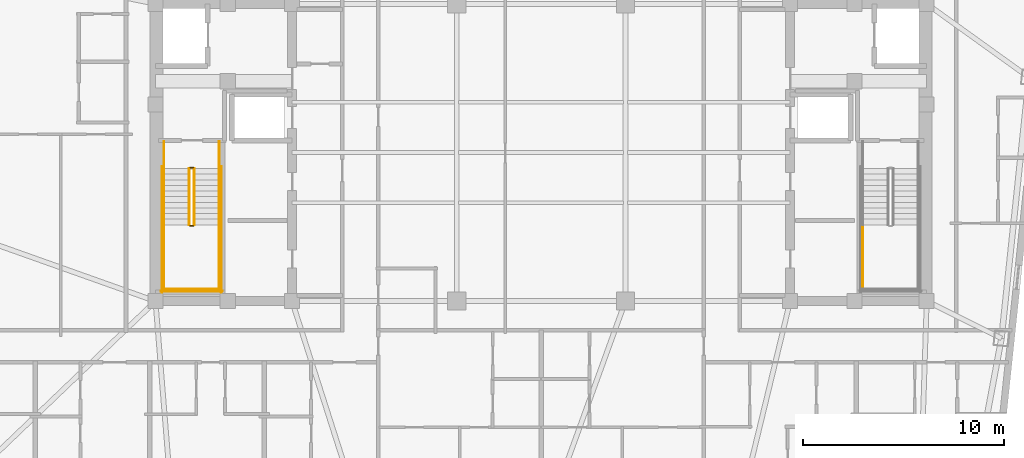
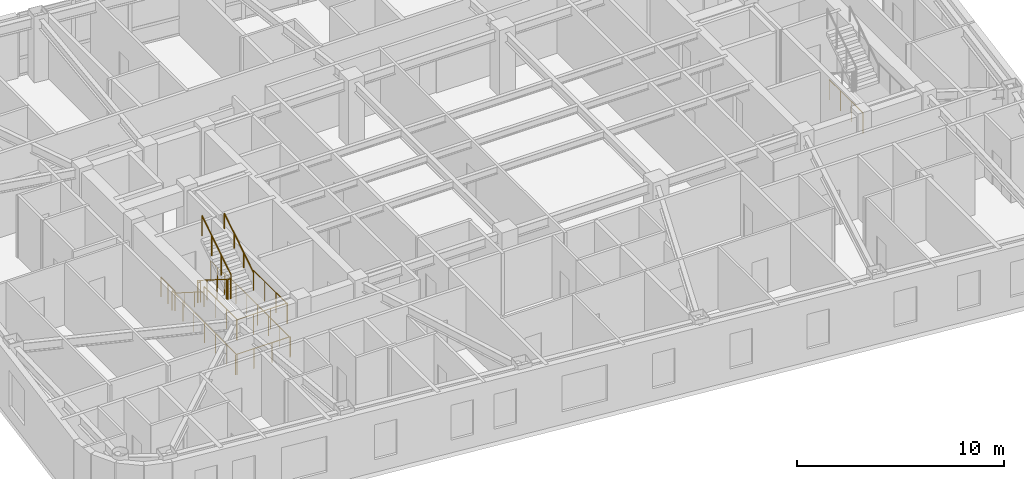
# One storey, part 14 of 15: 15 railings.
"""IFC4 building model written with IfcOpenShell, lengths in metres."""

from ifc_helpers import new_model, si_unit, direction, frame, origin, origin_2d, place, context, subcontext, project, spatial, circle, extrude, material, type_object, element, save


model = new_model("IFC4")

# Units and contexts
model_context = context("Model", 3, precision=1e-05, world=origin(), true_north=direction((0.0, 1.0)))
body_context = subcontext(model_context, "Body", "Model", "MODEL_VIEW")
ifc_project = project(units=[si_unit("LENGTHUNIT", "METRE"), si_unit("AREAUNIT", "SQUARE_METRE"), si_unit("VOLUMEUNIT", "CUBIC_METRE"), si_unit("PLANEANGLEUNIT", "RADIAN"), si_unit("MASSUNIT", "GRAM", prefix="KILO")], contexts=[model_context])

# Site, building, storey
site_placement = place(None, origin())
site = spatial("IfcSite", under=ifc_project, at=site_placement, CompositionType="ELEMENT")
building_placement = place(site_placement, origin())
building = spatial("IfcBuilding", under=site, at=building_placement, Name="Voryun Gate Residences", CompositionType="ELEMENT")
storey_placement = place(building_placement, frame((0.0, 0.0, 263.89990234375)))
storey = spatial("IfcBuildingStorey", under=building, at=storey_placement, Name="L65", CompositionType="ELEMENT", Elevation=263.89990234375)

# Railings
ifc_material_1 = material(Name="Painted steel", Category="steel")
railing_type_1 = type_object("IfcRailingType", Name="RAIL_STAIR_GUARD_1200", PredefinedType="GUARDRAIL", material=ifc_material_1)
railing_1_placement = place(storey_placement, frame((-17.52490234375, -0.800048828125, 0.177490234375)))
element("IfcRailing", 1, at=railing_1_placement, inside=storey, type_object=railing_type_1, Name="L65 ST-W1 stair guard 1", PredefinedType="GUARDRAIL", context=body_context, shape_type="SweptSolid", body=[
    extrude(circle(Radius=0.02392578125, at=origin_2d()), frame((0.0, 0.0, 1.17578125), z_axis=(0.0, -0.844908973607, 0.534910110503), x_axis=(1.0, 0.0, 0.0)), (0.0, 0.0, 1.0), 3.31396484375),
    extrude(circle(Radius=0.02099609375, at=origin_2d()), origin(), (0.0, 0.0, 1.0), 1.15185546875),
    extrude(circle(Radius=0.02099609375, at=origin_2d()), frame((0.0, -0.933349609375, 0.5908203125)), (0.0, 0.0, 1.0), 1.15185546875),
    extrude(circle(Radius=0.02099609375, at=origin_2d()), frame((0.0, -1.86669921875, 1.181884765625)), (0.0, 0.0, 1.0), 1.15185546875),
    extrude(circle(Radius=0.02099609375, at=origin_2d()), frame((0.0, -2.800048828125, 1.772705078125)), (0.0, 0.0, 1.0), 1.15185546875),
])
railing_2_placement = place(storey_placement, frame((-17.47509765625, -3.64990234375, 1.9501953125)))
element("IfcRailing", 2, at=railing_2_placement, inside=storey, type_object=railing_type_1, Name="L65 ST-W1 stair guard 2", PredefinedType="GUARDRAIL", context=body_context, shape_type="SweptSolid", body=[
    extrude(circle(Radius=0.02392578125, at=origin_2d()), frame((0.0, 0.0, 1.17578125), z_axis=(1.0, 0.0, 0.0), x_axis=(0.0, 1.0, 0.0)), (0.0, 0.0, 1.0), 0.150146484375),
    extrude(circle(Radius=0.02099609375, at=origin_2d()), origin(), (0.0, 0.0, 1.0), 1.15185546875),
    extrude(circle(Radius=0.02099609375, at=origin_2d()), frame((0.150146484375, 0.0, 0.0)), (0.0, 0.0, 1.0), 1.15185546875),
])
for number, where, name in (
    (3, (-18.77490234375, -3.60009765625, 1.9501953125), "L65 ST-W1 stair guard 3"),
    (4, (-16.02490234375, -3.60009765625, 1.9501953125), "L65 ST-W1 stair guard 4"),
):
    element("IfcRailing", number, at=place(storey_placement, frame(where)), inside=storey, type_object=railing_type_1, Name=name, PredefinedType="GUARDRAIL", context=body_context, shape_type="SweptSolid", body=[
        extrude(circle(Radius=0.02392578125, at=origin_2d()), frame((0.0, 0.0, 1.17578125), z_axis=(0.0, -1.0, 0.0), x_axis=(1.0, 0.0, 0.0)), (0.0, 0.0, 1.0), 3.25),
        extrude(circle(Radius=0.02099609375, at=origin_2d()), origin(), (0.0, 0.0, 1.0), 1.15185546875),
        extrude(circle(Radius=0.02099609375, at=origin_2d()), frame((0.0, -1.083251953125, 0.0)), (0.0, 0.0, 1.0), 1.15185546875),
        extrude(circle(Radius=0.02099609375, at=origin_2d()), frame((0.0, -2.166748046875, 0.0)), (0.0, 0.0, 1.0), 1.15185546875),
        extrude(circle(Radius=0.02099609375, at=origin_2d()), frame((0.0, -3.25, 0.0)), (0.0, 0.0, 1.0), 1.15185546875),
    ])
railing_3_placement = place(storey_placement, frame((-18.824951171875, -6.800048828125, 1.9501953125)))
element("IfcRailing", 5, at=railing_3_placement, inside=storey, type_object=railing_type_1, Name="L65 ST-W1 stair guard 5", PredefinedType="GUARDRAIL", context=body_context, shape_type="SweptSolid", body=[
    extrude(circle(Radius=0.02392578125, at=origin_2d()), frame((0.0, 0.0, 1.17578125), z_axis=(1.0, 0.0, 0.0), x_axis=(0.0, 1.0, 0.0)), (0.0, 0.0, 1.0), 2.849853515625),
    extrude(circle(Radius=0.02099609375, at=origin_2d()), origin(), (0.0, 0.0, 1.0), 1.15185546875),
    extrude(circle(Radius=0.02099609375, at=origin_2d()), frame((0.949951171875, 0.0, 0.0)), (0.0, 0.0, 1.0), 1.15185546875),
    extrude(circle(Radius=0.02099609375, at=origin_2d()), frame((1.89990234375, 0.0, 0.0)), (0.0, 0.0, 1.0), 1.15185546875),
    extrude(circle(Radius=0.02099609375, at=origin_2d()), frame((2.849853515625, 0.0, 0.0)), (0.0, 0.0, 1.0), 1.15185546875),
])
railing_4_placement = place(storey_placement, frame((-17.27490234375, -3.60009765625, 2.12744140625)))
element("IfcRailing", 6, at=railing_4_placement, inside=storey, type_object=railing_type_1, Name="L65 ST-W1 stair guard 6", PredefinedType="GUARDRAIL", context=body_context, shape_type="SweptSolid", body=[
    extrude(circle(Radius=0.02392578125, at=origin_2d()), frame((0.0, 0.0, 1.17578125), z_axis=(0.0, 0.844908973607, 0.534910110503), x_axis=(-1.0, 0.0, 0.0)), (0.0, 0.0, 1.0), 3.31396484375),
    extrude(circle(Radius=0.02099609375, at=origin_2d()), origin(), (0.0, 0.0, 1.0), 1.15185546875),
    extrude(circle(Radius=0.02099609375, at=origin_2d()), frame((0.0, 0.933349609375, 0.5908203125)), (0.0, 0.0, 1.0), 1.15185546875),
    extrude(circle(Radius=0.02099609375, at=origin_2d()), frame((0.0, 1.86669921875, 1.181884765625)), (0.0, 0.0, 1.0), 1.15185546875),
    extrude(circle(Radius=0.02099609375, at=origin_2d()), frame((0.0, 2.800048828125, 1.772705078125)), (0.0, 0.0, 1.0), 1.15185546875),
])
railing_5_placement = place(storey_placement, frame((-17.47509765625, -0.75, 0.0)))
element("IfcRailing", 7, at=railing_5_placement, inside=storey, type_object=railing_type_1, Name="L65 ST-W1 stair guard 7", PredefinedType="GUARDRAIL", context=body_context, shape_type="SweptSolid", body=[
    extrude(circle(Radius=0.02392578125, at=origin_2d()), frame((0.0, 0.0, 1.17578125), z_axis=(1.0, 0.0, 0.0), x_axis=(0.0, 1.0, 0.0)), (0.0, 0.0, 1.0), 0.150146484375),
    extrude(circle(Radius=0.02099609375, at=origin_2d()), origin(), (0.0, 0.0, 1.0), 1.15185546875),
    extrude(circle(Radius=0.02099609375, at=origin_2d()), frame((0.150146484375, 0.0, 0.0)), (0.0, 0.0, 1.0), 1.15185546875),
])
for number, where, name in (
    (8, (-18.77490234375, 0.550048828125, 0.0), "L65 ST-W1 stair guard 8"),
    (9, (-16.02490234375, 0.550048828125, 0.0), "L65 ST-W1 stair guard 9"),
):
    element("IfcRailing", number, at=place(storey_placement, frame(where)), inside=storey, type_object=railing_type_1, Name=name, PredefinedType="GUARDRAIL", context=body_context, shape_type="SweptSolid", body=[
        extrude(circle(Radius=0.02392578125, at=origin_2d()), frame((0.0, 0.0, 1.17578125), z_axis=(0.0, -1.0, 0.0), x_axis=(1.0, 0.0, 0.0)), (0.0, 0.0, 1.0), 1.35009765625),
        extrude(circle(Radius=0.02099609375, at=origin_2d()), origin(), (0.0, 0.0, 1.0), 1.15185546875),
        extrude(circle(Radius=0.02099609375, at=origin_2d()), frame((0.0, -0.675048828125, 0.0)), (0.0, 0.0, 1.0), 1.15185546875),
        extrude(circle(Radius=0.02099609375, at=origin_2d()), frame((0.0, -1.35009765625, 0.0)), (0.0, 0.0, 1.0), 1.15185546875),
    ])
for number, where, name in (
    (10, (-18.875, -0.699951171875, 0.0), "L65 ST-W1 stair guard 10"),
    (11, (-15.925048828125, -0.699951171875, 0.0), "L65 ST-W1 stair guard 11"),
):
    element("IfcRailing", number, at=place(storey_placement, frame(where)), inside=storey, type_object=railing_type_1, Name=name, PredefinedType="GUARDRAIL", context=body_context, shape_type="SweptSolid", body=[
        extrude(circle(Radius=0.02392578125, at=origin_2d()), frame((0.0, 0.0, 1.17578125), z_axis=(0.0, -1.0, 0.0), x_axis=(1.0, 0.0, 0.0)), (0.0, 0.0, 1.0), 6.25),
        extrude(circle(Radius=0.02099609375, at=origin_2d()), origin(), (0.0, 0.0, 1.0), 1.15185546875),
        extrude(circle(Radius=0.02099609375, at=origin_2d()), frame((0.0, -1.041748046875, 0.0)), (0.0, 0.0, 1.0), 1.15185546875),
        extrude(circle(Radius=0.02099609375, at=origin_2d()), frame((0.0, -2.083251953125, 0.0)), (0.0, 0.0, 1.0), 1.15185546875),
        extrude(circle(Radius=0.02099609375, at=origin_2d()), frame((0.0, -3.125, 0.0)), (0.0, 0.0, 1.0), 1.15185546875),
        extrude(circle(Radius=0.02099609375, at=origin_2d()), frame((0.0, -4.166748046875, 0.0)), (0.0, 0.0, 1.0), 1.15185546875),
        extrude(circle(Radius=0.02099609375, at=origin_2d()), frame((0.0, -5.208251953125, 0.0)), (0.0, 0.0, 1.0), 1.15185546875),
        extrude(circle(Radius=0.02099609375, at=origin_2d()), frame((0.0, -6.25, 0.0)), (0.0, 0.0, 1.0), 1.15185546875),
    ])
railing_6_placement = place(storey_placement, frame((-18.925048828125, -6.89990234375, 0.0)))
element("IfcRailing", 12, at=railing_6_placement, inside=storey, type_object=railing_type_1, Name="L65 ST-W1 stair guard 12", PredefinedType="GUARDRAIL", context=body_context, shape_type="SweptSolid", body=[
    extrude(circle(Radius=0.02392578125, at=origin_2d()), frame((0.0, 0.0, 1.17578125), z_axis=(1.0, 0.0, 0.0), x_axis=(0.0, 1.0, 0.0)), (0.0, 0.0, 1.0), 3.050048828125),
    extrude(circle(Radius=0.02099609375, at=origin_2d()), origin(), (0.0, 0.0, 1.0), 1.15185546875),
    extrude(circle(Radius=0.02099609375, at=origin_2d()), frame((1.0166015625, 0.0, 0.0)), (0.0, 0.0, 1.0), 1.15185546875),
    extrude(circle(Radius=0.02099609375, at=origin_2d()), frame((2.033447265625, 0.0, 0.0)), (0.0, 0.0, 1.0), 1.15185546875),
    extrude(circle(Radius=0.02099609375, at=origin_2d()), frame((3.050048828125, 0.0, 0.0)), (0.0, 0.0, 1.0), 1.15185546875),
])
railing_7_placement = place(storey_placement, frame((16.02490234375, -3.60009765625, 1.9501953125)))
element("IfcRailing", 13, at=railing_7_placement, inside=storey, type_object=railing_type_1, Name="L65 ST-E1 stair guard 3", PredefinedType="GUARDRAIL", context=body_context, shape_type="SweptSolid", body=[
    extrude(circle(Radius=0.02392578125, at=origin_2d()), frame((0.0, 0.0, 1.17578125), z_axis=(0.0, -1.0, 0.0), x_axis=(1.0, 0.0, 0.0)), (0.0, 0.0, 1.0), 3.25),
    extrude(circle(Radius=0.02099609375, at=origin_2d()), origin(), (0.0, 0.0, 1.0), 1.15185546875),
    extrude(circle(Radius=0.02099609375, at=origin_2d()), frame((0.0, -1.083251953125, 0.0)), (0.0, 0.0, 1.0), 1.15185546875),
    extrude(circle(Radius=0.02099609375, at=origin_2d()), frame((0.0, -2.166748046875, 0.0)), (0.0, 0.0, 1.0), 1.15185546875),
    extrude(circle(Radius=0.02099609375, at=origin_2d()), frame((0.0, -3.25, 0.0)), (0.0, 0.0, 1.0), 1.15185546875),
])
ifc_material_2 = material(Name="Painted steel", Category="steel")
railing_type_2 = type_object("IfcRailingType", Name="RAIL_STAIR_HANDRAIL_900", PredefinedType="HANDRAIL", material=ifc_material_2)
railing_8_placement = place(storey_placement, frame((-18.77490234375, -0.800048828125, 0.177490234375)))
element("IfcRailing", 14, at=railing_8_placement, inside=storey, type_object=railing_type_2, Name="L65 ST-W1 stair handrail 1", PredefinedType="HANDRAIL", context=body_context, shape_type="SweptSolid", body=[
    extrude(circle(Radius=0.02392578125, at=origin_2d()), frame((0.0, 0.0, 0.8759765625), z_axis=(0.0, -0.844908973607, 0.534910110503), x_axis=(1.0, 0.0, 0.0)), (0.0, 0.0, 1.0), 3.31396484375),
    extrude(circle(Radius=0.02099609375, at=origin_2d()), origin(), (0.0, 0.0, 1.0), 0.851806640625),
    extrude(circle(Radius=0.02099609375, at=origin_2d()), frame((0.0, -0.933349609375, 0.5908203125)), (0.0, 0.0, 1.0), 0.851806640625),
    extrude(circle(Radius=0.02099609375, at=origin_2d()), frame((0.0, -1.86669921875, 1.181884765625)), (0.0, 0.0, 1.0), 0.851806640625),
    extrude(circle(Radius=0.02099609375, at=origin_2d()), frame((0.0, -2.800048828125, 1.772705078125)), (0.0, 0.0, 1.0), 0.851806640625),
])
railing_9_placement = place(storey_placement, frame((-16.02490234375, -3.60009765625, 2.12744140625)))
element("IfcRailing", 15, at=railing_9_placement, inside=storey, type_object=railing_type_2, Name="L65 ST-W1 stair handrail 2", PredefinedType="HANDRAIL", context=body_context, shape_type="SweptSolid", body=[
    extrude(circle(Radius=0.02392578125, at=origin_2d()), frame((0.0, 0.0, 0.8759765625), z_axis=(0.0, 0.844908973607, 0.534910110503), x_axis=(-1.0, 0.0, 0.0)), (0.0, 0.0, 1.0), 3.31396484375),
    extrude(circle(Radius=0.02099609375, at=origin_2d()), origin(), (0.0, 0.0, 1.0), 0.851806640625),
    extrude(circle(Radius=0.02099609375, at=origin_2d()), frame((0.0, 0.933349609375, 0.5908203125)), (0.0, 0.0, 1.0), 0.851806640625),
    extrude(circle(Radius=0.02099609375, at=origin_2d()), frame((0.0, 1.86669921875, 1.181884765625)), (0.0, 0.0, 1.0), 0.851806640625),
    extrude(circle(Radius=0.02099609375, at=origin_2d()), frame((0.0, 2.800048828125, 1.772705078125)), (0.0, 0.0, 1.0), 0.851806640625),
])

save(model, "model.ifc")
